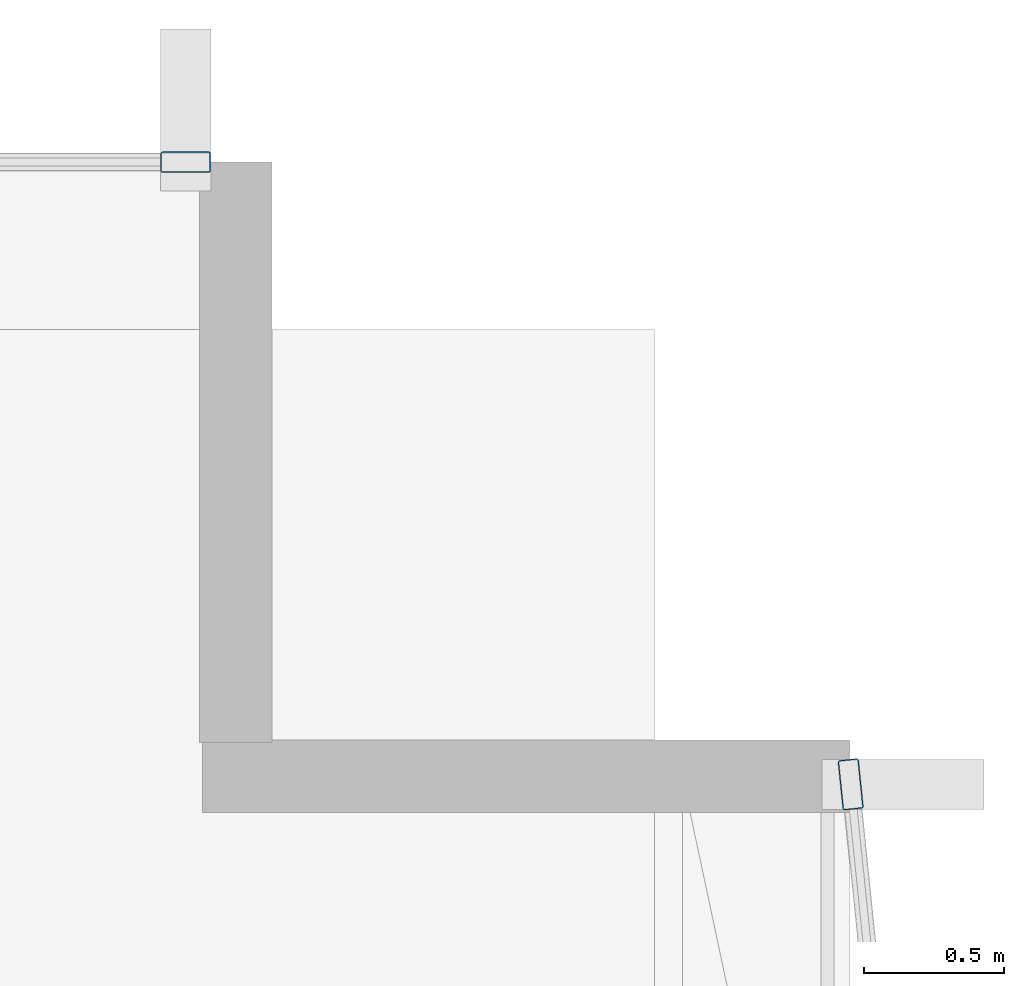
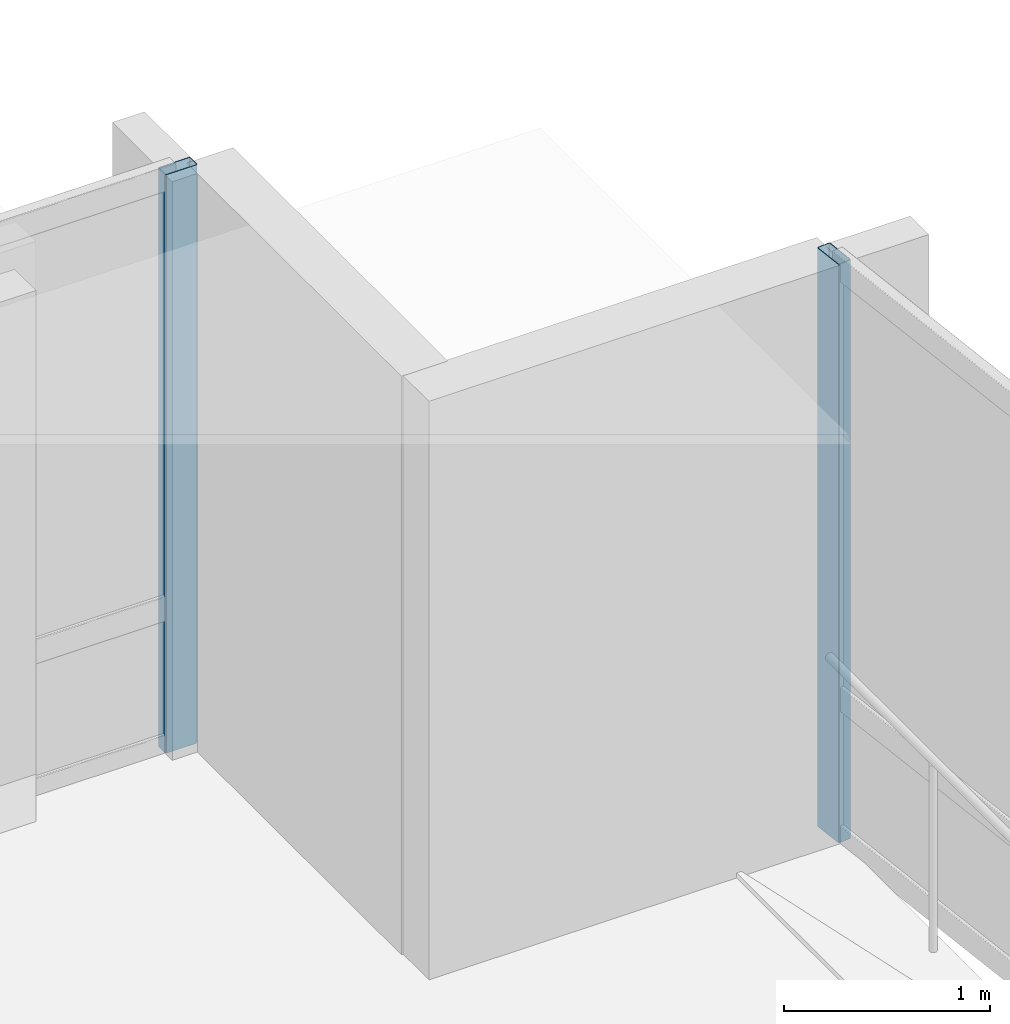
# One storey, part 17 of 34: 2 members, 2 elements without a shape of their own.
"""IFC4 building model written with IfcOpenShell, lengths in metres."""

from ifc_helpers import new_model, si_unit, direction, frame, origin, origin_2d, place, context, subcontext, project, spatial, hollow_rectangle, extrude, material, layer, layer_set, material_profile, profile_set, type_object, element, aggregate, save


model = new_model("IFC4")

# Units and contexts
model_context = context("Model", 3, precision=1e-05, world=origin(), true_north=direction((0.0, 1.0)))
body_context = subcontext(model_context, "Body", "Model", "MODEL_VIEW")
ifc_project = project(units=[si_unit("LENGTHUNIT", "METRE"), si_unit("AREAUNIT", "SQUARE_METRE"), si_unit("VOLUMEUNIT", "CUBIC_METRE"), si_unit("PLANEANGLEUNIT", "RADIAN"), si_unit("MASSUNIT", "GRAM", prefix="KILO")], contexts=[model_context])

# Site, building, storey
site_placement = place(None, origin())
site = spatial("IfcSite", under=ifc_project, at=site_placement, CompositionType="ELEMENT")
building_placement = place(site_placement, origin())
building = spatial("IfcBuilding", under=site, at=building_placement, Name="Solvaryn Broadcast Tower", CompositionType="ELEMENT")
storey_placement = place(building_placement, frame((0.0, 0.0, 76.699951171875)))
storey = spatial("IfcBuildingStorey", under=building, at=storey_placement, Name="L18", CompositionType="ELEMENT", Elevation=76.699951171875)

# Curtain wall, member
ifc_material_1 = material(Name="Aluminium and Terracotta Unitised Curtain Wall", Category="masonry")
ifc_layer = layer(ifc_material_1, 0.199951171875)
ifc_layer_set = layer_set([ifc_layer], Name="CW-SYS2-LOWMID")
curtain_wall_type = type_object("IfcCurtainWallType", Name="CW-SYS2-LOWMID", PredefinedType="NOTDEFINED", material=ifc_layer_set)
curtain_wall_1_placement = place(storey_placement, origin())
curtain_wall_1 = element("IfcCurtainWall", 1, at=curtain_wall_1_placement, inside=storey, type_object=curtain_wall_type, Name="L18 Curtain Wall ET1", PredefinedType="NOTDEFINED")
ifc_material_2 = material(Name="Anodised Aluminium 6063-T6", Category="aluminium")
ifc_material_profile = material_profile(ifc_material_2, hollow_rectangle(XDim=0.074951171875, YDim=0.179931640625, WallThickness=0.00390625, InnerFilletRadius=0.00390625, OuterFilletRadius=0.008056640625, at=origin_2d()))
ifc_profile_set = profile_set([ifc_material_profile], Name="Anodised Aluminium 6063-T6")
member_type = type_object("IfcMemberType", Name="CW-MUL-180", PredefinedType="MULLION", material=ifc_profile_set)
member_1_placement = place(storey_placement, frame((63.003173828125, 24.770263671875, 0.0), z_axis=(0.0, 0.0, 1.0), x_axis=(0.99474329889, 0.10240004548, 0.0)))
member_1 = element("IfcMember", 2, at=member_1_placement, type_object=member_type, Name="CWS2 mullion 1", PredefinedType="MULLION", context=body_context, shape_type="SweptSolid", body=[
    extrude(hollow_rectangle(XDim=0.074951171875, YDim=0.179931640625, WallThickness=0.00390625, InnerFilletRadius=0.00390625, OuterFilletRadius=0.008056640625, at=origin_2d()), origin(), (0.0, 0.0, 1.0), 3.420166015625),
])
aggregate(curtain_wall_1, [member_1])

curtain_wall_2_placement = place(storey_placement, origin())
curtain_wall_2 = element("IfcCurtainWall", 3, at=curtain_wall_2_placement, inside=storey, type_object=curtain_wall_type, Name="L18 Curtain Wall IH", PredefinedType="NOTDEFINED")
member_2_placement = place(storey_placement, frame((60.6201171875, 27.0, 0.0), z_axis=(0.0, 0.0, 1.0), x_axis=(0.0, 1.0, 0.0)))
member_2 = element("IfcMember", 4, at=member_2_placement, type_object=member_type, Name="CWS2 mullion 2", PredefinedType="MULLION", context=body_context, shape_type="SweptSolid", body=[
    extrude(hollow_rectangle(XDim=0.074951171875, YDim=0.179931640625, WallThickness=0.00390625, InnerFilletRadius=0.00390625, OuterFilletRadius=0.008056640625, at=origin_2d()), origin(), (0.0, 0.0, 1.0), 3.420166015625),
])
aggregate(curtain_wall_2, [member_2])

save(model, "model.ifc")
